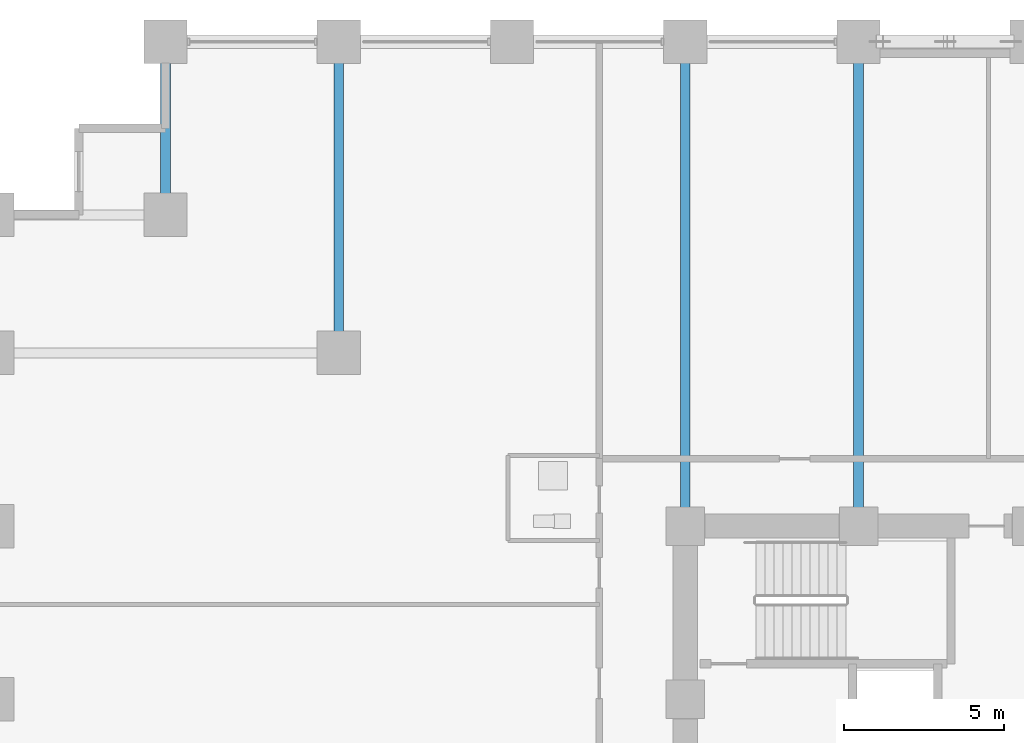
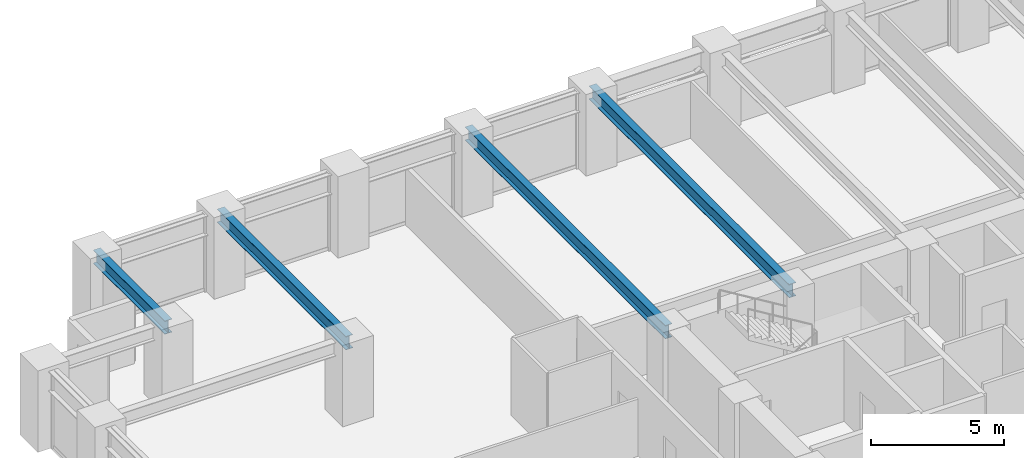
# One storey, part 11 of 25: 4 beams.
"""IFC4 building model written with IfcOpenShell, lengths in metres."""

from ifc_helpers import new_model, si_unit, direction, frame, origin, origin_2d, place, context, subcontext, project, spatial, i_section, extrude, material, material_profile, profile_set, type_object, element, save


model = new_model("IFC4")

# Units and contexts
model_context = context("Model", 3, precision=1e-05, world=origin(), true_north=direction((0.0, 1.0)))
body_context = subcontext(model_context, "Body", "Model", "MODEL_VIEW")
ifc_project = project(units=[si_unit("LENGTHUNIT", "METRE"), si_unit("AREAUNIT", "SQUARE_METRE"), si_unit("VOLUMEUNIT", "CUBIC_METRE"), si_unit("PLANEANGLEUNIT", "RADIAN"), si_unit("MASSUNIT", "GRAM", prefix="KILO")], contexts=[model_context])

# Site, building, storey
site_placement = place(None, origin())
site = spatial("IfcSite", under=ifc_project, at=site_placement, CompositionType="ELEMENT")
building_placement = place(site_placement, origin())
building = spatial("IfcBuilding", under=site, at=building_placement, Name="Surkhivell Harbour Commons", CompositionType="ELEMENT")
storey_placement = place(building_placement, frame((0.0, 0.0, 37.5)))
storey = spatial("IfcBuildingStorey", under=building, at=storey_placement, Name="L09", CompositionType="ELEMENT", Elevation=37.5)

# Beams
ifc_material = material(Name="Steel S355", Category="steel")
ifc_material_profile = material_profile(ifc_material, i_section(OverallWidth=0.306884765625, OverallDepth=0.6201171875, WebThickness=0.01416015625, FlangeThickness=0.023681640625, at=origin_2d()), Name="UB610x305x179")
ifc_profile_set = profile_set([ifc_material_profile], Name="Steel S355")
beam_type = type_object("IfcBeamType", Name="BM-GRD-610A", PredefinedType="BEAM", material=ifc_profile_set)
beam_1_placement = place(storey_placement, frame((-27.0, 20.5, 3.260009765625), z_axis=(0.0, 1.0, 0.0), x_axis=(-1.0, 0.0, 0.0)))
element("IfcBeam", 1, at=beam_1_placement, inside=storey, type_object=beam_type, Name="L09 Floor Girder (-27.0,20.5)", PredefinedType="BEAM", context=body_context, shape_type="SweptSolid", body=[
    extrude(i_section(OverallWidth=0.306884765625, OverallDepth=0.6201171875, WebThickness=0.01416015625, FlangeThickness=0.023681640625, at=origin_2d()), origin(), (0.0, 0.0, 1.0), 5.39990234375),
])
beam_2_placement = place(storey_placement, frame((-21.60009765625, 16.199951171875, 3.260009765625), z_axis=(0.0, 1.0, 0.0), x_axis=(-1.0, 0.0, 0.0)))
element("IfcBeam", 2, at=beam_2_placement, inside=storey, type_object=beam_type, Name="L09 Floor Girder (-21.6,16.2)", PredefinedType="BEAM", context=body_context, shape_type="SweptSolid", body=[
    extrude(i_section(OverallWidth=0.306884765625, OverallDepth=0.6201171875, WebThickness=0.01416015625, FlangeThickness=0.023681640625, at=origin_2d()), origin(), (0.0, 0.0, 1.0), 9.699951171875),
])
for number, where, z_axis, x_axis, name in (
    (3, (-10.800048828125, 10.800048828125, 3.260009765625), (0.0, 1.0, 0.0), (-1.0, 0.0, 0.0), "L09 Floor Girder (-10.8,10.8)"),
    (4, (-5.39990234375, 10.800048828125, 3.260009765625), (0.0, 1.0, 0.0), (-1.0, 0.0, 0.0), "L09 Floor Girder (-5.4,10.8)"),
):
    element("IfcBeam", number, at=place(storey_placement, frame(where, z_axis=z_axis, x_axis=x_axis)), inside=storey, type_object=beam_type, Name=name, PredefinedType="BEAM", context=body_context, shape_type="SweptSolid", body=[
        extrude(i_section(OverallWidth=0.306884765625, OverallDepth=0.6201171875, WebThickness=0.01416015625, FlangeThickness=0.023681640625, at=origin_2d()), origin(), (0.0, 0.0, 1.0), 15.099853515625),
    ])

save(model, "model.ifc")
